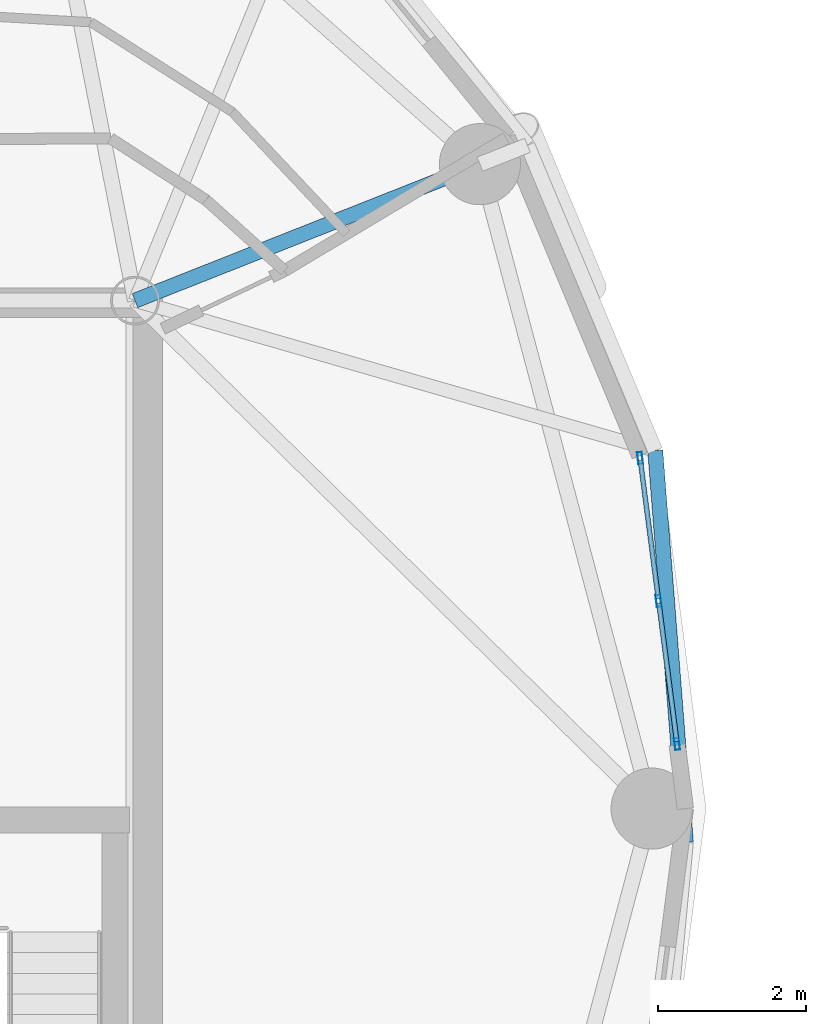
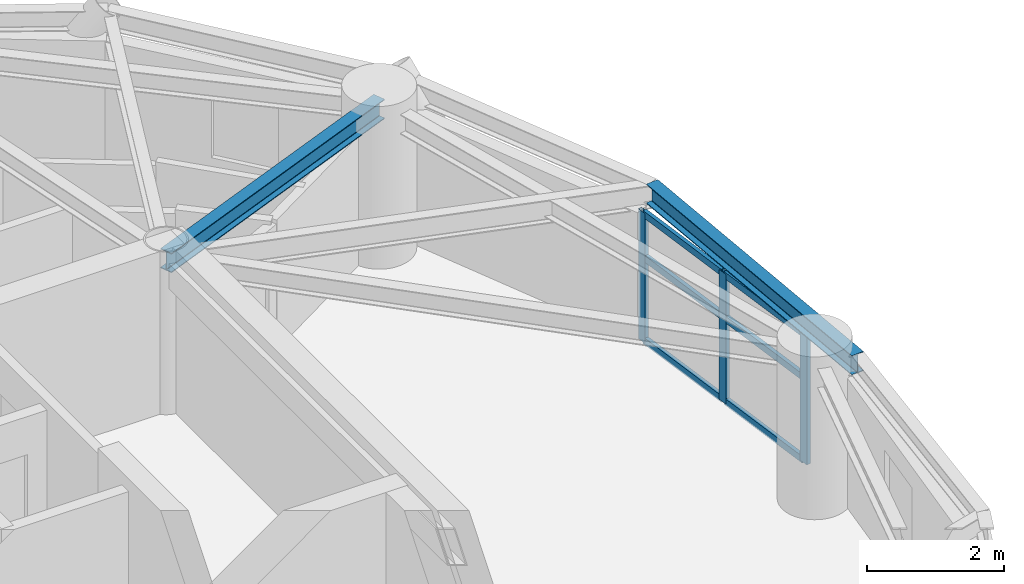
# One storey, part 3 of 16: 9 members, 2 beams, 1 element without a shape of its own.
"""IFC4 building model written with IfcOpenShell, lengths in metres."""

import ifcopenshell
import ifcopenshell.guid

model = None  # the IFC model being written
_history = None  # IfcOwnerHistory: only IFC2X3 demands one
_inside = {}  # id of a spatial element -> (the spatial element, [elements in it])
_under = {}  # id of a project, library or spatial element -> (it, [spatial elements below it])
_declared = {}  # id of a project -> (the project, [libraries it declares])
_typed = {}  # id of a type object -> (the type object, [elements of that type])
_made_of = {}  # id of a material, layer set ... -> (it, [elements and type objects made of it])


def new_model(schema):
    """Start an empty IFC model of exactly this schema.

    Asked for "IFC4X3", IfcOpenShell would pick the latest addendum, in which some entities
    have other attributes; the version numbers below select the first issue.
    IFC2X3 requires an IfcOwnerHistory on every rooted entity: one is made here for all.
    """
    global model, _history
    if schema == "IFC4X3":
        model = ifcopenshell.file(schema_version=(4, 3, 0, 0))
    else:
        model = ifcopenshell.file(schema=schema)
    _inside.clear()
    _under.clear()
    _declared.clear()
    _typed.clear()
    _made_of.clear()
    _history = None
    if model.schema == "IFC2X3":
        org = make("IfcOrganization", Name="unknown")
        user = make(
            "IfcPersonAndOrganization",
            ThePerson=make("IfcPerson", FamilyName="unknown"),
            TheOrganization=org,
        )
        app = make(
            "IfcApplication",
            ApplicationDeveloper=org,
            Version="unknown",
            ApplicationFullName="unknown",
            ApplicationIdentifier="unknown",
        )
        _history = make(
            "IfcOwnerHistory",
            OwningUser=user,
            OwningApplication=app,
            ChangeAction="ADDED",
            CreationDate=0,
        )
    return model


def make(cls, **values):
    """One entity of the class cls with the attributes given. An attribute that is None is left unset."""
    return model.create_entity(
        cls, **{name: value for name, value in values.items() if value is not None}
    )


def rooted(cls, **values):
    """An entity with a GlobalId (a new one), such as an element, a storey or a relation."""
    return make(cls, GlobalId=ifcopenshell.guid.new(), OwnerHistory=_history, **values)


def si_unit(unit_type, name, prefix=None):
    """IfcSIUnit, for example si_unit("LENGTHUNIT", "METRE", prefix="MILLI")."""
    return make("IfcSIUnit", UnitType=unit_type, Prefix=prefix, Name=name)


def assignment(units):
    """IfcUnitAssignment: the units of a project."""
    return None if units is None else make("IfcUnitAssignment", Units=units)


def point(xyz):
    """IfcCartesianPoint."""
    return None if xyz is None else make("IfcCartesianPoint", Coordinates=xyz)


def direction(xyz):
    """IfcDirection."""
    return None if xyz is None else make("IfcDirection", DirectionRatios=xyz)


def frame(location, z_axis=None, x_axis=None):
    """IfcAxis2Placement3D, a coordinate frame: its origin and axes. An axis left out is left unset."""
    return make(
        "IfcAxis2Placement3D",
        Location=point(location),
        Axis=direction(z_axis),
        RefDirection=direction(x_axis),
    )


def frame_2d(location, x_axis=None):
    """IfcAxis2Placement2D, a coordinate frame in the plane: its origin and x axis."""
    return make(
        "IfcAxis2Placement2D", Location=point(location), RefDirection=direction(x_axis)
    )


def origin():
    """The frame at (0, 0, 0) with its axes left unset."""
    return frame((0.0, 0.0, 0.0))


def origin_2d():
    """The frame at (0, 0) in the plane with its x axis left unset."""
    return frame_2d((0.0, 0.0))


def place(relative_to, where):
    """IfcLocalPlacement: puts the frame where relative to a parent placement (None: the world)."""
    return make(
        "IfcLocalPlacement", PlacementRelTo=relative_to, RelativePlacement=where
    )


def context(
    kind, dimensions, precision=None, world=None, true_north=None, identifier=None
):
    """IfcGeometricRepresentationContext, for example the 3D "Model" context."""
    return make(
        "IfcGeometricRepresentationContext",
        ContextIdentifier=identifier,
        ContextType=kind,
        CoordinateSpaceDimension=dimensions,
        Precision=precision,
        WorldCoordinateSystem=world,
        TrueNorth=true_north,
    )


def subcontext(parent, identifier, kind, view, scale=None):
    """IfcGeometricRepresentationSubContext, for example "Body" below "Model"."""
    return make(
        "IfcGeometricRepresentationSubContext",
        ContextIdentifier=identifier,
        ContextType=kind,
        ParentContext=parent,
        TargetScale=scale,
        TargetView=view,
    )


def project(units=None, contexts=None):
    """IfcProject with its units and contexts."""
    return rooted(
        "IfcProject",
        Name="project",
        RepresentationContexts=contexts,
        UnitsInContext=assignment(units),
    )


def spatial(cls, under=None, at=None, **own):
    """A site, building, storey or space (cls), placed at a placement, below another one or the project."""
    s = rooted(cls, ObjectPlacement=at, **own)
    if under is not None:
        _under.setdefault(under.id(), (under, []))[1].append(s)
    return s


def profile(cls, at=None, kind="AREA", **sizes):
    """A parametric profile (cls). Its sizes go by their IFC names, for example OverallWidth=200.0."""
    return make(cls, ProfileType=kind, Position=at, **sizes)


def hollow_rectangle(**sizes):
    """IfcRectangleHollowProfileDef."""
    return profile("IfcRectangleHollowProfileDef", **sizes)


def i_section(**sizes):
    """IfcIShapeProfileDef."""
    return profile("IfcIShapeProfileDef", **sizes)


def extrude(swept, where, along, depth):
    """IfcExtrudedAreaSolid: the profile swept, set in the frame where, extruded along a direction by depth."""
    return make(
        "IfcExtrudedAreaSolid",
        SweptArea=swept,
        Position=where,
        ExtrudedDirection=direction(along),
        Depth=depth,
    )


def shape(context_of_items, identifier, shape_type, items):
    """IfcShapeRepresentation: the items that make up one representation, for example the "Body"."""
    return make(
        "IfcShapeRepresentation",
        ContextOfItems=context_of_items,
        RepresentationIdentifier=identifier,
        RepresentationType=shape_type,
        Items=items,
    )


def material(Name=None, Category=None):
    """IfcMaterial."""
    return make("IfcMaterial", Name=Name, Category=Category)


def layer(
    of_material, thickness, ventilated=None, Name=None, Category=None, Priority=None
):
    """IfcMaterialLayer: one layer of a wall or slab, of a material (None: an air gap)."""
    return make(
        "IfcMaterialLayer",
        Material=of_material,
        LayerThickness=thickness,
        IsVentilated=ventilated,
        Name=Name,
        Category=Category,
        Priority=Priority,
    )


def layer_set(layers, Name=None):
    """IfcMaterialLayerSet."""
    return make("IfcMaterialLayerSet", MaterialLayers=layers, LayerSetName=Name)


def material_profile(
    of_material, cross_section, Name=None, Category=None, Priority=None
):
    """IfcMaterialProfile: a cross section and its material."""
    return make(
        "IfcMaterialProfile",
        Name=Name,
        Material=of_material,
        Profile=cross_section,
        Priority=Priority,
        Category=Category,
    )


def profile_set(profiles, Name=None, composite=None):
    """IfcMaterialProfileSet."""
    return make(
        "IfcMaterialProfileSet",
        Name=Name,
        MaterialProfiles=profiles,
        CompositeProfile=composite,
    )


def made_of(thing, what):
    """Note that an element or type object is made of a material, layer set ...; save() writes the relation."""
    if what is not None:
        _made_of.setdefault(what.id(), (what, []))[1].append(thing)
    return thing


def type_object(cls, material=None, **own):
    """A type object (cls), such as IfcWallType, which elements share."""
    return made_of(rooted(cls, **own), material)


def element(
    cls,
    number,
    at=None,
    inside=None,
    cuts=None,
    type_object=None,
    material=None,
    context=None,
    identifier="Body",
    shape_type=None,
    held_by="IfcProductDefinitionShape",
    body=None,
    shapes=None,
    **own,
):
    """One element of the class cls, such as IfcWall. Its Tag is "e" and its number.

    at: its placement. inside: the storey or other place that contains it. cuts: it is an
    opening in that element (IfcRelVoidsElement). A single representation is given by context,
    identifier, shape_type and body (its items); several are given by shapes. held_by: the class
    of the entity that holds the representations. save() writes the other relations.
    """
    e = rooted(cls, Tag="e%d" % number, ObjectPlacement=at, **own)
    if body is not None:
        shapes = [shape(context, identifier, shape_type, body)]
    if shapes is not None:
        e.Representation = make(held_by, Representations=shapes)
    if inside is not None:
        _inside.setdefault(inside.id(), (inside, []))[1].append(e)
    if cuts is not None:
        rooted(
            "IfcRelVoidsElement", RelatingBuildingElement=cuts, RelatedOpeningElement=e
        )
    if type_object is not None:
        _typed.setdefault(type_object.id(), (type_object, []))[1].append(e)
    return made_of(e, material)


def aggregate(whole, parts):
    """IfcRelAggregates: a whole, such as a stair, and the parts it consists of."""
    return rooted("IfcRelAggregates", RelatingObject=whole, RelatedObjects=parts)


def save(model, path):
    """Write the relations noted so far, then the file.

    IfcRelAggregates (storeys below a building ...), IfcRelContainedInSpatialStructure (elements
    in a storey), IfcRelDefinesByType, IfcRelAssociatesMaterial and IfcRelDeclares: one each for
    every whole, place, type object, material and project.
    """
    for whole, parts in _under.values():
        aggregate(whole, parts)
    for where, things in _inside.values():
        rooted(
            "IfcRelContainedInSpatialStructure",
            RelatedElements=things,
            RelatingStructure=where,
        )
    for kind, things in _typed.values():
        rooted("IfcRelDefinesByType", RelatedObjects=things, RelatingType=kind)
    for what, things in _made_of.values():
        rooted("IfcRelAssociatesMaterial", RelatedObjects=things, RelatingMaterial=what)
    for by, libraries in _declared.values():
        rooted("IfcRelDeclares", RelatingContext=by, RelatedDefinitions=libraries)
    model.write(path)


model = new_model("IFC4")

# Units and contexts
model_context = context("Model", 3, precision=1e-05, world=origin(), true_north=direction((0.0, 1.0)))
body_context = subcontext(model_context, "Body", "Model", "MODEL_VIEW")
ifc_project = project(units=[si_unit("LENGTHUNIT", "METRE"), si_unit("AREAUNIT", "SQUARE_METRE"), si_unit("VOLUMEUNIT", "CUBIC_METRE"), si_unit("PLANEANGLEUNIT", "RADIAN"), si_unit("MASSUNIT", "GRAM", prefix="KILO")], contexts=[model_context])

# Site, building, storey
site_placement = place(None, origin())
site = spatial("IfcSite", under=ifc_project, at=site_placement, CompositionType="ELEMENT")
building_placement = place(site_placement, origin())
building = spatial("IfcBuilding", under=site, at=building_placement, Name="Cununo Teusaquillo Station Towers", CompositionType="ELEMENT")
storey_placement = place(building_placement, frame((0.0, 0.0, 217.030029296875)))
storey = spatial("IfcBuildingStorey", under=building, at=storey_placement, Name="L69", CompositionType="ELEMENT", Elevation=217.030029296875)

# Beams
ifc_material_1 = material(Name="Steel ASTM A572 Grade 50", Category="steel")
ifc_material_profile_1 = material_profile(ifc_material_1, i_section(OverallWidth=0.2041015625, OverallDepth=0.35009765625, WebThickness=0.008544921875, FlangeThickness=0.01513671875, FilletRadius=0.011962890625, at=origin_2d()), Name="W14X48")
ifc_profile_set_1 = profile_set([ifc_material_profile_1], Name="Steel ASTM A572 Grade 50")
beam_type_1 = type_object("IfcBeamType", Name="BM-RAD-G3", PredefinedType="BEAM", material=ifc_profile_set_1)
beam_1_placement = place(storey_placement, frame((21.675048828125, 31.3798828125, 2.52490234375), z_axis=(0.929864104313, 0.367903176814, 0.0), x_axis=(-0.367903176814, 0.929864104313, 0.0)))
element("IfcBeam", 1, at=beam_1_placement, inside=storey, type_object=beam_type_1, Name="L69 Tower A Radial Girder 02A", PredefinedType="BEAM", context=body_context, shape_type="SweptSolid", body=[
    extrude(i_section(OverallWidth=0.2041015625, OverallDepth=0.35009765625, WebThickness=0.008544921875, FlangeThickness=0.01513671875, FilletRadius=0.011962890625, at=origin_2d()), origin(), (0.0, 0.0, 1.0), 5.02490234375),
])
ifc_material_2 = material(Name="Steel ASTM A572 Grade 50", Category="steel")
ifc_material_profile_2 = material_profile(ifc_material_2, i_section(OverallWidth=0.2041015625, OverallDepth=0.35009765625, WebThickness=0.008544921875, FlangeThickness=0.01513671875, FilletRadius=0.011962890625, at=origin_2d()), Name="W14X48")
ifc_profile_set_2 = profile_set([ifc_material_profile_2], Name="Steel ASTM A572 Grade 50")
beam_type_2 = type_object("IfcBeamType", Name="BM-RING-Z4", PredefinedType="SPANDREL", material=ifc_profile_set_2)
beam_2_placement = place(storey_placement, frame((29.135498046875, 24.044189453125, 2.52490234375), z_axis=(-0.077871988965, 0.996963366095, 0.0), x_axis=(-0.996963366095, -0.077871988965, 0.0)))
element("IfcBeam", 2, at=beam_2_placement, inside=storey, type_object=beam_type_2, Name="L69 Tower A Spandrel Ring Beam 01", PredefinedType="SPANDREL", context=body_context, shape_type="SweptSolid", body=[
    extrude(i_section(OverallWidth=0.2041015625, OverallDepth=0.35009765625, WebThickness=0.008544921875, FlangeThickness=0.01513671875, FilletRadius=0.011962890625, at=origin_2d()), origin(), (0.0, 0.0, 1.0), 5.3203125),
])

# Curtain wall, members
ifc_material_3 = material(Name="Ceramic-fritted dark low-E double glazing", Category="glass")
ifc_layer = layer(ifc_material_3, 0.179931640625)
ifc_layer_set = layer_set([ifc_layer], Name="Ceramic-fritted dark low-E double glazing")
curtain_wall_type = type_object("IfcCurtainWallType", Name="CW-SYS-07", PredefinedType="USERDEFINED", material=ifc_layer_set)
curtain_wall_placement = place(storey_placement, origin())
curtain_wall = element("IfcCurtainWall", 3, at=curtain_wall_placement, inside=storey, type_object=curtain_wall_type, Name="L69 Tower A Facade Curtain Wall C00", ObjectType="FRITTED GLAZING", PredefinedType="USERDEFINED")
ifc_material_4 = material(Name="Anodised dark bronze aluminium EN AW-6063-T6", Category="aluminium")
ifc_material_profile_3 = material_profile(ifc_material_4, hollow_rectangle(XDim=0.06494140625, YDim=0.159912109375, WallThickness=0.00390625, at=origin_2d()), Name="CW-MULL-65x160")
ifc_profile_set_3 = profile_set([ifc_material_profile_3], Name="Anodised dark bronze aluminium EN AW-6063-T6")
member_type_1 = type_object("IfcMemberType", Name="CWM-160", PredefinedType="MULLION", material=ifc_profile_set_3)
member_1_placement = place(storey_placement, frame((28.515869140625, 29.248291015625, 0.0), z_axis=(0.0, 0.0, 1.0), x_axis=(0.991741528461, 0.12825264413, 0.0)))
member_1 = element("IfcMember", 4, at=member_1_placement, type_object=member_type_1, Name="CW-07 mullion 1", PredefinedType="MULLION", context=body_context, shape_type="SweptSolid", body=[
    extrude(hollow_rectangle(XDim=0.06494140625, YDim=0.159912109375, WallThickness=0.00390625, at=origin_2d()), origin(), (0.0, 0.0, 1.0), 2.322021484375),
])
member_2_placement = place(storey_placement, frame((28.766357421875, 27.311767578125, 0.0), z_axis=(0.0, 0.0, 1.0), x_axis=(0.991741528461, 0.12825264413, 0.0)))
member_2 = element("IfcMember", 5, at=member_2_placement, type_object=member_type_1, Name="CW-07 mullion 2", PredefinedType="MULLION", context=body_context, shape_type="SweptSolid", body=[
    extrude(hollow_rectangle(XDim=0.06494140625, YDim=0.159912109375, WallThickness=0.00390625, at=origin_2d()), origin(), (0.0, 0.0, 1.0), 2.322021484375),
])
member_3_placement = place(storey_placement, frame((29.016845703125, 25.375244140625, 0.0), z_axis=(0.0, 0.0, 1.0), x_axis=(0.991741528461, 0.12825264413, 0.0)))
member_3 = element("IfcMember", 6, at=member_3_placement, type_object=member_type_1, Name="CW-07 mullion 3", PredefinedType="MULLION", context=body_context, shape_type="SweptSolid", body=[
    extrude(hollow_rectangle(XDim=0.06494140625, YDim=0.159912109375, WallThickness=0.00390625, at=origin_2d()), origin(), (0.0, 0.0, 1.0), 2.322021484375),
])
ifc_material_5 = material(Name="Anodised dark bronze aluminium EN AW-6063-T6", Category="aluminium")
ifc_material_profile_4 = material_profile(ifc_material_5, hollow_rectangle(XDim=0.06494140625, YDim=0.1201171875, WallThickness=0.00390625, at=origin_2d()), Name="CW-TRAN-65x120")
ifc_profile_set_4 = profile_set([ifc_material_profile_4], Name="Anodised dark bronze aluminium EN AW-6063-T6")
member_type_2 = type_object("IfcMemberType", Name="CWT-120", PredefinedType="USERDEFINED", material=ifc_profile_set_4)
member_4_placement = place(storey_placement, frame((28.52001953125, 29.216064453125, 0.032470703125), z_axis=(0.128299630595, -0.99173545101, 0.0), x_axis=(0.99173545101, 0.128299630595, 0.0)))
member_4 = element("IfcMember", 7, at=member_4_placement, type_object=member_type_2, Name="CW-07 transom 1.1", ObjectType="TRANSOM", PredefinedType="USERDEFINED", context=body_context, shape_type="SweptSolid", body=[
    extrude(hollow_rectangle(XDim=0.06494140625, YDim=0.1201171875, WallThickness=0.00390625, at=origin_2d()), origin(), (0.0, 0.0, 1.0), 1.8876953125),
])
member_5_placement = place(storey_placement, frame((28.52001953125, 29.216064453125, 1.509033203125), z_axis=(0.128299630595, -0.99173545101, 0.0), x_axis=(0.99173545101, 0.128299630595, 0.0)))
member_5 = element("IfcMember", 8, at=member_5_placement, type_object=member_type_2, Name="CW-07 transom 1.2", ObjectType="TRANSOM", PredefinedType="USERDEFINED", context=body_context, shape_type="SweptSolid", body=[
    extrude(hollow_rectangle(XDim=0.06494140625, YDim=0.1201171875, WallThickness=0.00390625, at=origin_2d()), origin(), (0.0, 0.0, 1.0), 1.8876953125),
])
member_6_placement = place(storey_placement, frame((28.52001953125, 29.216064453125, 2.28955078125), z_axis=(0.128299630595, -0.99173545101, 0.0), x_axis=(0.99173545101, 0.128299630595, 0.0)))
member_6 = element("IfcMember", 9, at=member_6_placement, type_object=member_type_2, Name="CW-07 transom 1.3", ObjectType="TRANSOM", PredefinedType="USERDEFINED", context=body_context, shape_type="SweptSolid", body=[
    extrude(hollow_rectangle(XDim=0.06494140625, YDim=0.1201171875, WallThickness=0.00390625, at=origin_2d()), origin(), (0.0, 0.0, 1.0), 1.8876953125),
])
member_7_placement = place(storey_placement, frame((28.7705078125, 27.279541015625, 0.032470703125), z_axis=(0.128299630595, -0.99173545101, 0.0), x_axis=(0.99173545101, 0.128299630595, 0.0)))
member_7 = element("IfcMember", 10, at=member_7_placement, type_object=member_type_2, Name="CW-07 transom 2.1", ObjectType="TRANSOM", PredefinedType="USERDEFINED", context=body_context, shape_type="SweptSolid", body=[
    extrude(hollow_rectangle(XDim=0.06494140625, YDim=0.1201171875, WallThickness=0.00390625, at=origin_2d()), origin(), (0.0, 0.0, 1.0), 1.8876953125),
])
member_8_placement = place(storey_placement, frame((28.7705078125, 27.279541015625, 1.509033203125), z_axis=(0.128299630595, -0.99173545101, 0.0), x_axis=(0.99173545101, 0.128299630595, 0.0)))
member_8 = element("IfcMember", 11, at=member_8_placement, type_object=member_type_2, Name="CW-07 transom 2.2", ObjectType="TRANSOM", PredefinedType="USERDEFINED", context=body_context, shape_type="SweptSolid", body=[
    extrude(hollow_rectangle(XDim=0.06494140625, YDim=0.1201171875, WallThickness=0.00390625, at=origin_2d()), origin(), (0.0, 0.0, 1.0), 1.8876953125),
])
member_9_placement = place(storey_placement, frame((28.7705078125, 27.279541015625, 2.28955078125), z_axis=(0.128299630595, -0.99173545101, 0.0), x_axis=(0.99173545101, 0.128299630595, 0.0)))
member_9 = element("IfcMember", 12, at=member_9_placement, type_object=member_type_2, Name="CW-07 transom 2.3", ObjectType="TRANSOM", PredefinedType="USERDEFINED", context=body_context, shape_type="SweptSolid", body=[
    extrude(hollow_rectangle(XDim=0.06494140625, YDim=0.1201171875, WallThickness=0.00390625, at=origin_2d()), origin(), (0.0, 0.0, 1.0), 1.8876953125),
])
aggregate(curtain_wall, [member_1, member_2, member_3, member_4, member_5, member_6, member_7, member_8, member_9])

save(model, "model.ifc")
